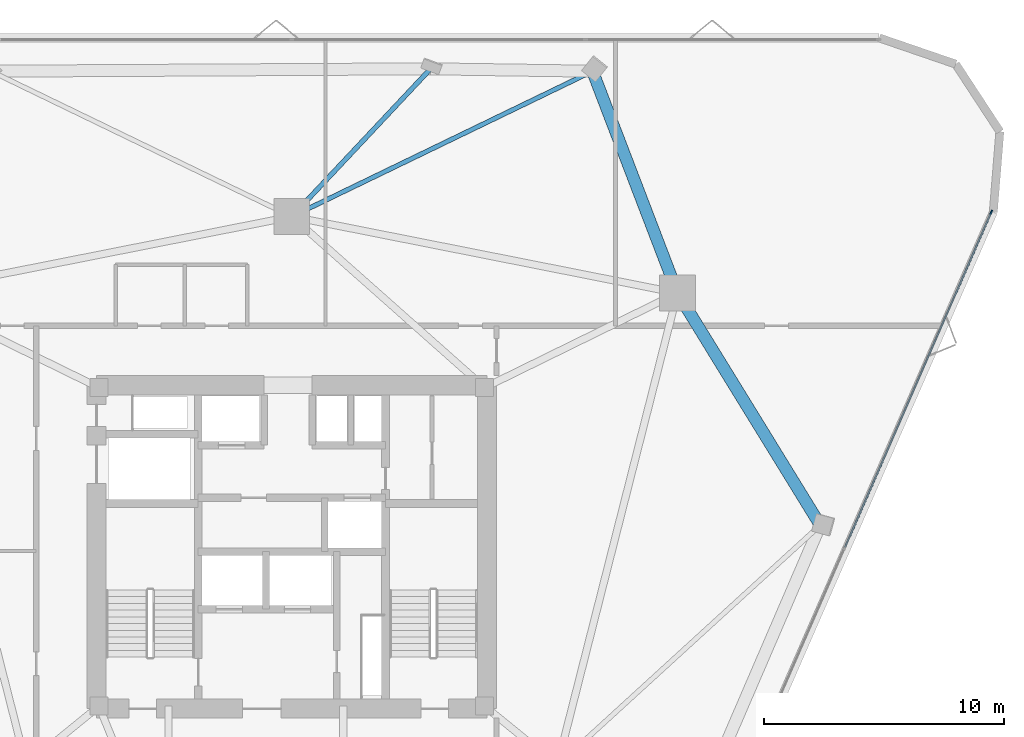
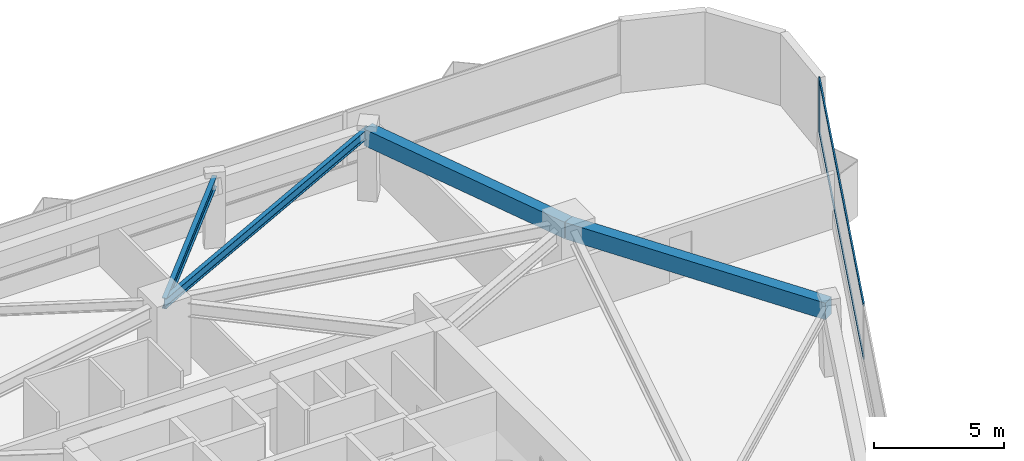
# One storey, part 7 of 14: 4 beams, 3 members, 1 element without a shape of its own.
"""IFC4 building model written with IfcOpenShell, lengths in metres."""

import ifcopenshell
import ifcopenshell.guid

model = None  # the IFC model being written
_history = None  # IfcOwnerHistory: only IFC2X3 demands one
_inside = {}  # id of a spatial element -> (the spatial element, [elements in it])
_under = {}  # id of a project, library or spatial element -> (it, [spatial elements below it])
_declared = {}  # id of a project -> (the project, [libraries it declares])
_typed = {}  # id of a type object -> (the type object, [elements of that type])
_made_of = {}  # id of a material, layer set ... -> (it, [elements and type objects made of it])


def new_model(schema):
    """Start an empty IFC model of exactly this schema.

    Asked for "IFC4X3", IfcOpenShell would pick the latest addendum, in which some entities
    have other attributes; the version numbers below select the first issue.
    IFC2X3 requires an IfcOwnerHistory on every rooted entity: one is made here for all.
    """
    global model, _history
    if schema == "IFC4X3":
        model = ifcopenshell.file(schema_version=(4, 3, 0, 0))
    else:
        model = ifcopenshell.file(schema=schema)
    _inside.clear()
    _under.clear()
    _declared.clear()
    _typed.clear()
    _made_of.clear()
    _history = None
    if model.schema == "IFC2X3":
        org = make("IfcOrganization", Name="unknown")
        user = make(
            "IfcPersonAndOrganization",
            ThePerson=make("IfcPerson", FamilyName="unknown"),
            TheOrganization=org,
        )
        app = make(
            "IfcApplication",
            ApplicationDeveloper=org,
            Version="unknown",
            ApplicationFullName="unknown",
            ApplicationIdentifier="unknown",
        )
        _history = make(
            "IfcOwnerHistory",
            OwningUser=user,
            OwningApplication=app,
            ChangeAction="ADDED",
            CreationDate=0,
        )
    return model


def make(cls, **values):
    """One entity of the class cls with the attributes given. An attribute that is None is left unset."""
    return model.create_entity(
        cls, **{name: value for name, value in values.items() if value is not None}
    )


def rooted(cls, **values):
    """An entity with a GlobalId (a new one), such as an element, a storey or a relation."""
    return make(cls, GlobalId=ifcopenshell.guid.new(), OwnerHistory=_history, **values)


def si_unit(unit_type, name, prefix=None):
    """IfcSIUnit, for example si_unit("LENGTHUNIT", "METRE", prefix="MILLI")."""
    return make("IfcSIUnit", UnitType=unit_type, Prefix=prefix, Name=name)


def assignment(units):
    """IfcUnitAssignment: the units of a project."""
    return None if units is None else make("IfcUnitAssignment", Units=units)


def point(xyz):
    """IfcCartesianPoint."""
    return None if xyz is None else make("IfcCartesianPoint", Coordinates=xyz)


def direction(xyz):
    """IfcDirection."""
    return None if xyz is None else make("IfcDirection", DirectionRatios=xyz)


def frame(location, z_axis=None, x_axis=None):
    """IfcAxis2Placement3D, a coordinate frame: its origin and axes. An axis left out is left unset."""
    return make(
        "IfcAxis2Placement3D",
        Location=point(location),
        Axis=direction(z_axis),
        RefDirection=direction(x_axis),
    )


def frame_2d(location, x_axis=None):
    """IfcAxis2Placement2D, a coordinate frame in the plane: its origin and x axis."""
    return make(
        "IfcAxis2Placement2D", Location=point(location), RefDirection=direction(x_axis)
    )


def origin():
    """The frame at (0, 0, 0) with its axes left unset."""
    return frame((0.0, 0.0, 0.0))


def origin_2d():
    """The frame at (0, 0) in the plane with its x axis left unset."""
    return frame_2d((0.0, 0.0))


def place(relative_to, where):
    """IfcLocalPlacement: puts the frame where relative to a parent placement (None: the world)."""
    return make(
        "IfcLocalPlacement", PlacementRelTo=relative_to, RelativePlacement=where
    )


def context(
    kind, dimensions, precision=None, world=None, true_north=None, identifier=None
):
    """IfcGeometricRepresentationContext, for example the 3D "Model" context."""
    return make(
        "IfcGeometricRepresentationContext",
        ContextIdentifier=identifier,
        ContextType=kind,
        CoordinateSpaceDimension=dimensions,
        Precision=precision,
        WorldCoordinateSystem=world,
        TrueNorth=true_north,
    )


def subcontext(parent, identifier, kind, view, scale=None):
    """IfcGeometricRepresentationSubContext, for example "Body" below "Model"."""
    return make(
        "IfcGeometricRepresentationSubContext",
        ContextIdentifier=identifier,
        ContextType=kind,
        ParentContext=parent,
        TargetScale=scale,
        TargetView=view,
    )


def project(units=None, contexts=None):
    """IfcProject with its units and contexts."""
    return rooted(
        "IfcProject",
        Name="project",
        RepresentationContexts=contexts,
        UnitsInContext=assignment(units),
    )


def spatial(cls, under=None, at=None, **own):
    """A site, building, storey or space (cls), placed at a placement, below another one or the project."""
    s = rooted(cls, ObjectPlacement=at, **own)
    if under is not None:
        _under.setdefault(under.id(), (under, []))[1].append(s)
    return s


def profile(cls, at=None, kind="AREA", **sizes):
    """A parametric profile (cls). Its sizes go by their IFC names, for example OverallWidth=200.0."""
    return make(cls, ProfileType=kind, Position=at, **sizes)


def rectangle(**sizes):
    """IfcRectangleProfileDef."""
    return profile("IfcRectangleProfileDef", **sizes)


def i_section(**sizes):
    """IfcIShapeProfileDef."""
    return profile("IfcIShapeProfileDef", **sizes)


def extrude(swept, where, along, depth):
    """IfcExtrudedAreaSolid: the profile swept, set in the frame where, extruded along a direction by depth."""
    return make(
        "IfcExtrudedAreaSolid",
        SweptArea=swept,
        Position=where,
        ExtrudedDirection=direction(along),
        Depth=depth,
    )


def shape(context_of_items, identifier, shape_type, items):
    """IfcShapeRepresentation: the items that make up one representation, for example the "Body"."""
    return make(
        "IfcShapeRepresentation",
        ContextOfItems=context_of_items,
        RepresentationIdentifier=identifier,
        RepresentationType=shape_type,
        Items=items,
    )


def material(Name=None, Category=None):
    """IfcMaterial."""
    return make("IfcMaterial", Name=Name, Category=Category)


def layer(
    of_material, thickness, ventilated=None, Name=None, Category=None, Priority=None
):
    """IfcMaterialLayer: one layer of a wall or slab, of a material (None: an air gap)."""
    return make(
        "IfcMaterialLayer",
        Material=of_material,
        LayerThickness=thickness,
        IsVentilated=ventilated,
        Name=Name,
        Category=Category,
        Priority=Priority,
    )


def layer_set(layers, Name=None):
    """IfcMaterialLayerSet."""
    return make("IfcMaterialLayerSet", MaterialLayers=layers, LayerSetName=Name)


def material_profile(
    of_material, cross_section, Name=None, Category=None, Priority=None
):
    """IfcMaterialProfile: a cross section and its material."""
    return make(
        "IfcMaterialProfile",
        Name=Name,
        Material=of_material,
        Profile=cross_section,
        Priority=Priority,
        Category=Category,
    )


def profile_set(profiles, Name=None, composite=None):
    """IfcMaterialProfileSet."""
    return make(
        "IfcMaterialProfileSet",
        Name=Name,
        MaterialProfiles=profiles,
        CompositeProfile=composite,
    )


def made_of(thing, what):
    """Note that an element or type object is made of a material, layer set ...; save() writes the relation."""
    if what is not None:
        _made_of.setdefault(what.id(), (what, []))[1].append(thing)
    return thing


def type_object(cls, material=None, **own):
    """A type object (cls), such as IfcWallType, which elements share."""
    return made_of(rooted(cls, **own), material)


def element(
    cls,
    number,
    at=None,
    inside=None,
    cuts=None,
    type_object=None,
    material=None,
    context=None,
    identifier="Body",
    shape_type=None,
    held_by="IfcProductDefinitionShape",
    body=None,
    shapes=None,
    **own,
):
    """One element of the class cls, such as IfcWall. Its Tag is "e" and its number.

    at: its placement. inside: the storey or other place that contains it. cuts: it is an
    opening in that element (IfcRelVoidsElement). A single representation is given by context,
    identifier, shape_type and body (its items); several are given by shapes. held_by: the class
    of the entity that holds the representations. save() writes the other relations.
    """
    e = rooted(cls, Tag="e%d" % number, ObjectPlacement=at, **own)
    if body is not None:
        shapes = [shape(context, identifier, shape_type, body)]
    if shapes is not None:
        e.Representation = make(held_by, Representations=shapes)
    if inside is not None:
        _inside.setdefault(inside.id(), (inside, []))[1].append(e)
    if cuts is not None:
        rooted(
            "IfcRelVoidsElement", RelatingBuildingElement=cuts, RelatedOpeningElement=e
        )
    if type_object is not None:
        _typed.setdefault(type_object.id(), (type_object, []))[1].append(e)
    return made_of(e, material)


def aggregate(whole, parts):
    """IfcRelAggregates: a whole, such as a stair, and the parts it consists of."""
    return rooted("IfcRelAggregates", RelatingObject=whole, RelatedObjects=parts)


def save(model, path):
    """Write the relations noted so far, then the file.

    IfcRelAggregates (storeys below a building ...), IfcRelContainedInSpatialStructure (elements
    in a storey), IfcRelDefinesByType, IfcRelAssociatesMaterial and IfcRelDeclares: one each for
    every whole, place, type object, material and project.
    """
    for whole, parts in _under.values():
        aggregate(whole, parts)
    for where, things in _inside.values():
        rooted(
            "IfcRelContainedInSpatialStructure",
            RelatedElements=things,
            RelatingStructure=where,
        )
    for kind, things in _typed.values():
        rooted("IfcRelDefinesByType", RelatedObjects=things, RelatingType=kind)
    for what, things in _made_of.values():
        rooted("IfcRelAssociatesMaterial", RelatedObjects=things, RelatingMaterial=what)
    for by, libraries in _declared.values():
        rooted("IfcRelDeclares", RelatingContext=by, RelatedDefinitions=libraries)
    model.write(path)


model = new_model("IFC4")

# Units and contexts
model_context = context("Model", 3, precision=1e-05, world=origin(), true_north=direction((0.0, 1.0)))
body_context = subcontext(model_context, "Body", "Model", "MODEL_VIEW")
ifc_project = project(units=[si_unit("LENGTHUNIT", "METRE"), si_unit("AREAUNIT", "SQUARE_METRE"), si_unit("VOLUMEUNIT", "CUBIC_METRE"), si_unit("PLANEANGLEUNIT", "RADIAN"), si_unit("MASSUNIT", "GRAM", prefix="KILO")], contexts=[model_context])

# Site, building, storey
site_placement = place(None, origin())
site = spatial("IfcSite", under=ifc_project, at=site_placement, CompositionType="ELEMENT")
building_placement = place(site_placement, origin())
building = spatial("IfcBuilding", under=site, at=building_placement, Name="Talyreon Biosciences Tower", CompositionType="ELEMENT")
storey_placement = place(building_placement, frame((0.0, 0.0, 130.85009765625)))
storey = spatial("IfcBuildingStorey", under=building, at=storey_placement, Name="L34", CompositionType="ELEMENT", Elevation=130.85009765625)

# Curtain wall, members
ifc_material_1 = material(Name="Thermally broken aluminium and low-E glazing", Category="aluminium")
ifc_layer = layer(ifc_material_1, 0.18505859375)
ifc_layer_set = layer_set([ifc_layer], Name="Thermally broken aluminium and low-E glazing")
curtain_wall_type = type_object("IfcCurtainWallType", Name="CurtainWall_Zone3Bioprocess", PredefinedType="NOTDEFINED", material=ifc_layer_set)
curtain_wall_placement = place(storey_placement, origin())
curtain_wall = element("IfcCurtainWall", 1, at=curtain_wall_placement, inside=storey, type_object=curtain_wall_type, Name="L34 Unitised Curtain Wall FCW-L34-08", PredefinedType="NOTDEFINED")
ifc_material_2 = material(Name="Anodised thermally broken aluminium", Category="aluminium")
ifc_material_profile_1 = material_profile(ifc_material_2, rectangle(XDim=0.06494140625, YDim=0.179931640625, at=origin_2d()), Name="ALUM MULLION 65x180")
ifc_profile_set_1 = profile_set([ifc_material_profile_1], Name="Anodised thermally broken aluminium")
member_type_1 = type_object("IfcMemberType", Name="CWMullion_65x180", PredefinedType="MULLION", material=ifc_profile_set_1)
member_1_placement = place(storey_placement, frame((95.202392578125, 81.974853515625, 0.809814453125), z_axis=(0.0, 0.0, 1.0), x_axis=(0.916489607057, -0.400058495919, 0.0)))
member_1 = element("IfcMember", 2, at=member_1_placement, type_object=member_type_1, Name="CW4 mullion 1", PredefinedType="MULLION", context=body_context, shape_type="SweptSolid", body=[
    extrude(rectangle(XDim=0.06494140625, YDim=0.179931640625, at=origin_2d()), origin(), (0.0, 0.0, 1.0), 2.565185546875),
])
ifc_material_profile_2 = material_profile(ifc_material_2, rectangle(XDim=0.06494140625, YDim=0.139892578125, at=origin_2d()), Name="ALUM TRANSOM 65x140")
ifc_profile_set_2 = profile_set([ifc_material_profile_2], Name="Anodised thermally broken aluminium")
member_type_2 = type_object("IfcMemberType", Name="CWTransom_65x140", PredefinedType="USERDEFINED", material=ifc_profile_set_2)
member_2_placement = place(storey_placement, frame((95.189453125, 81.945068359375, 0.84228515625), z_axis=(-0.400060037809, -0.916488934002, 0.0), x_axis=(0.916488934002, -0.400060037809, 0.0)))
member_2 = element("IfcMember", 3, at=member_2_placement, type_object=member_type_2, Name="CW4 transom 1.1", ObjectType="TRANSOM", PredefinedType="USERDEFINED", context=body_context, shape_type="SweptSolid", body=[
    extrude(rectangle(XDim=0.06494140625, YDim=0.139892578125, at=origin_2d()), origin(), (0.0, 0.0, 1.0), 15.227294921875),
])
member_3_placement = place(storey_placement, frame((95.189453125, 81.945068359375, 3.34228515625), z_axis=(-0.400060037809, -0.916488934002, 0.0), x_axis=(0.916488934002, -0.400060037809, 0.0)))
member_3 = element("IfcMember", 4, at=member_3_placement, type_object=member_type_2, Name="CW4 transom 1.2", ObjectType="TRANSOM", PredefinedType="USERDEFINED", context=body_context, shape_type="SweptSolid", body=[
    extrude(rectangle(XDim=0.06494140625, YDim=0.139892578125, at=origin_2d()), origin(), (0.0, 0.0, 1.0), 15.227294921875),
])
aggregate(curtain_wall, [member_1, member_2, member_3])

# Beams
ifc_material_3 = material(Name="Precast concrete C45/55", Category="concrete")
ifc_material_profile_3 = material_profile(ifc_material_3, rectangle(XDim=0.5, YDim=0.780029296875, at=origin_2d()), Name="RCB 500x780")
ifc_profile_set_3 = profile_set([ifc_material_profile_3], Name="Precast concrete C45/55")
beam_type_1 = type_object("IfcBeamType", Name="ExpressedSpandrel_500x780", PredefinedType="SPANDREL", material=ifc_profile_set_3)
beam_1_placement = place(storey_placement, frame((88.06298828125, 68.908203125, 2.98486328125), z_axis=(-0.523928596136, 0.85176218873, 0.0), x_axis=(-0.85176218873, -0.523928596136, 0.0)))
element("IfcBeam", 5, at=beam_1_placement, inside=storey, type_object=beam_type_1, Name="L34 Expressed Horizontal Concrete Spandrel 04", PredefinedType="SPANDREL", context=body_context, shape_type="SweptSolid", body=[
    extrude(rectangle(XDim=0.5, YDim=0.780029296875, at=origin_2d()), origin(), (0.0, 0.0, 1.0), 11.376953125),
])
beam_2_placement = place(storey_placement, frame((82.102294921875, 78.5986328125, 2.98486328125), z_axis=(-0.357655490043, 0.933853602254, 0.0), x_axis=(-0.933853602254, -0.357655490043, 0.0)))
element("IfcBeam", 6, at=beam_2_placement, inside=storey, type_object=beam_type_1, Name="L34 Expressed Horizontal Concrete Spandrel 05", PredefinedType="SPANDREL", context=body_context, shape_type="SweptSolid", body=[
    extrude(rectangle(XDim=0.5, YDim=0.780029296875, at=origin_2d()), origin(), (0.0, 0.0, 1.0), 9.915771484375),
])
ifc_material_4 = material(Name="Steel SM355", Category="steel")
ifc_material_profile_4 = material_profile(ifc_material_4, i_section(OverallWidth=0.18994140625, OverallDepth=0.449951171875, WebThickness=0.009521484375, FlangeThickness=0.0146484375, FilletRadius=0.02099609375, at=origin_2d()), Name="IPE450")
ifc_profile_set_4 = profile_set([ifc_material_profile_4], Name="Steel SM355")
beam_type_2 = type_object("IfcBeamType", Name="SteelJoist_IPE450", PredefinedType="JOIST", material=ifc_profile_set_4)
beam_3_placement = place(storey_placement, frame((66.0, 81.788818359375, 3.14990234375), z_axis=(0.900323916095, 0.435220456903, 0.0), x_axis=(-0.435220456903, 0.900323916095, 0.0)))
element("IfcBeam", 7, at=beam_3_placement, inside=storey, type_object=beam_type_2, Name="L34 Radial Composite Floor Joist PC-N1", PredefinedType="JOIST", context=body_context, shape_type="SweptSolid", body=[
    extrude(i_section(OverallWidth=0.18994140625, OverallDepth=0.449951171875, WebThickness=0.009521484375, FlangeThickness=0.0146484375, FilletRadius=0.02099609375, at=origin_2d()), origin(), (0.0, 0.0, 1.0), 13.946044921875),
])
ifc_material_profile_5 = material_profile(ifc_material_4, i_section(OverallWidth=0.199951171875, OverallDepth=0.5, WebThickness=0.01025390625, FlangeThickness=0.01611328125, FilletRadius=0.02099609375, at=origin_2d()), Name="IPE500")
ifc_profile_set_5 = profile_set([ifc_material_profile_5], Name="Steel SM355")
beam_type_3 = type_object("IfcBeamType", Name="SteelJoist_IPE500", PredefinedType="JOIST", material=ifc_profile_set_5)
beam_4_placement = place(storey_placement, frame((66.0, 81.788818359375, 3.125), z_axis=(0.684638317051, 0.728882963736, 0.0), x_axis=(-0.728882963736, 0.684638317051, 0.0)))
element("IfcBeam", 8, at=beam_4_placement, inside=storey, type_object=beam_type_3, Name="L34 Radial Composite Floor Joist PL-N", PredefinedType="JOIST", context=body_context, shape_type="SweptSolid", body=[
    extrude(i_section(OverallWidth=0.199951171875, OverallDepth=0.5, WebThickness=0.01025390625, FlangeThickness=0.01611328125, FilletRadius=0.02099609375, at=origin_2d()), origin(), (0.0, 0.0, 1.0), 8.464599609375),
])

save(model, "model.ifc")
